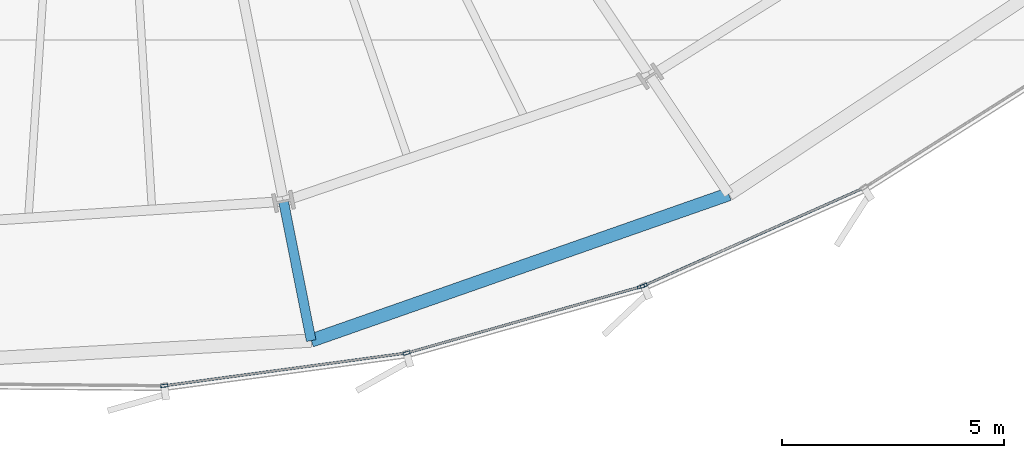
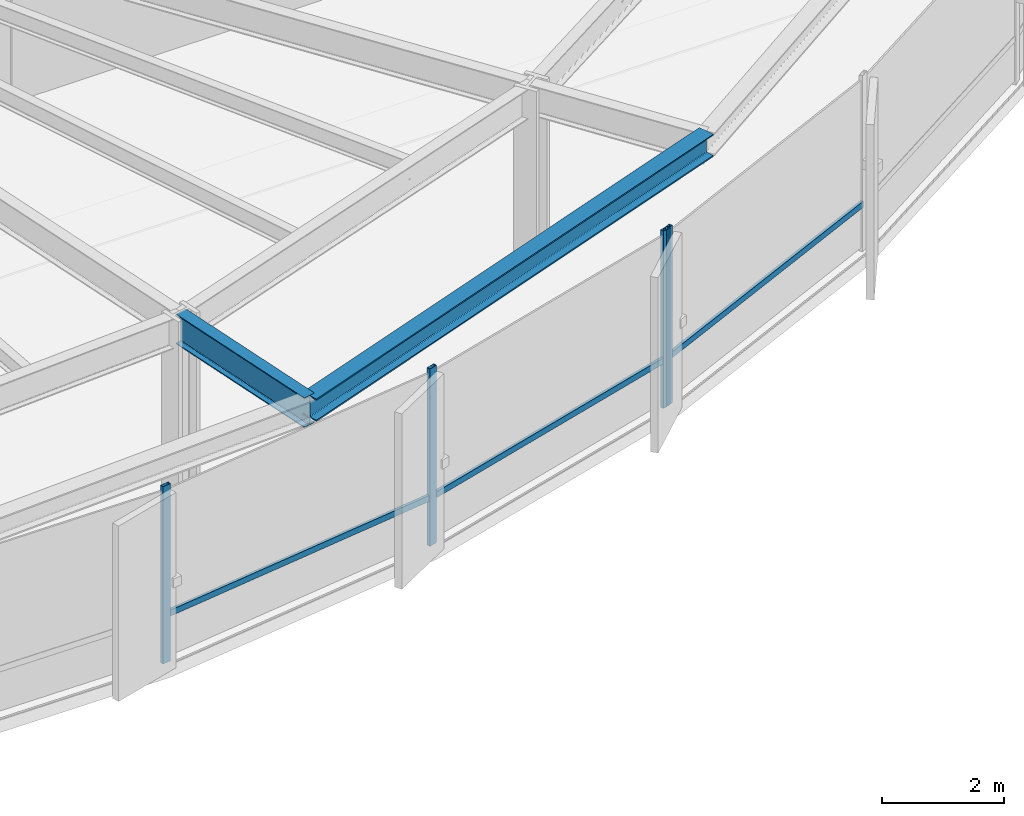
# One storey, part 11 of 39: 7 members, 2 beams, 2 elements without a shape of their own.
"""IFC4 building model written with IfcOpenShell, lengths in metres."""

from ifc_helpers import new_model, si_unit, direction, frame, origin, origin_2d, place, context, subcontext, project, spatial, hollow_rectangle, i_section, extrude, source, transform, mapped, material, layer, layer_set, material_profile, profile_set, type_object, element, aggregate, save


model = new_model("IFC4")

# Units and contexts
model_context = context("Model", 3, precision=1e-05, world=origin(), true_north=direction((0.0, 1.0)))
body_context = subcontext(model_context, "Body", "Model", "MODEL_VIEW")
ifc_project = project(units=[si_unit("LENGTHUNIT", "METRE"), si_unit("AREAUNIT", "SQUARE_METRE"), si_unit("VOLUMEUNIT", "CUBIC_METRE"), si_unit("PLANEANGLEUNIT", "RADIAN"), si_unit("MASSUNIT", "GRAM", prefix="KILO"), si_unit("THERMODYNAMICTEMPERATUREUNIT", "KELVIN")], contexts=[model_context])

# Site, building, storey
site_placement = place(None, origin())
site = spatial("IfcSite", under=ifc_project, at=site_placement, CompositionType="ELEMENT")
building_placement = place(site_placement, origin())
building = spatial("IfcBuilding", under=site, at=building_placement, Name="Kethvar Cultural Tower", CompositionType="ELEMENT")
storey_placement = place(building_placement, frame((0.0, 0.0, 44.800048828125)))
storey = spatial("IfcBuildingStorey", under=building, at=storey_placement, Name="L10", CompositionType="ELEMENT", Elevation=44.800048828125)

# Beams
ifc_material_1 = material(Name="Steel S355J2", Category="steel")
ifc_material_profile_1 = material_profile(ifc_material_1, i_section(OverallWidth=0.219970703125, OverallDepth=0.60009765625, WebThickness=0.011962890625, FlangeThickness=0.01904296875, FilletRadius=0.02392578125, at=origin_2d()), Name="Steel S355J2 — IPE600")
ifc_profile_set_1 = profile_set([ifc_material_profile_1], Name="Steel S355J2 — IPE600")
beam_type_1 = type_object("IfcBeamType", Name="BM-IPE600", PredefinedType="BEAM", material=ifc_profile_set_1)
shared_shape_1 = source(origin(), body_context, "Body", "SweptSolid", [
    extrude(i_section(OverallWidth=0.219970703125, OverallDepth=0.60009765625, WebThickness=0.011962890625, FlangeThickness=0.01904296875, FilletRadius=0.02392578125, at=origin_2d()), origin(), (0.0, 0.0, 1.0), 3.199951171875),
])
beam_1_placement = place(storey_placement, frame((51.10400390625, 6.16259765625, 3.248046875), z_axis=(0.195088965533, -0.980785550224, 0.0), x_axis=(0.980785550224, 0.195088965533, 0.0)))
element("IfcBeam", 1, at=beam_1_placement, inside=storey, type_object=beam_type_1, Name="L10 Perimeter Cantilever Beam RC-13", PredefinedType="BEAM", context=body_context, shape_type="MappedRepresentation", body=[
    mapped(shared_shape_1, transform((0.0, 0.0, 0.0), scale=1.0)),
])
ifc_material_profile_2 = material_profile(ifc_material_1, i_section(OverallWidth=0.300048828125, OverallDepth=0.449951171875, WebThickness=0.013916015625, FlangeThickness=0.02587890625, FilletRadius=0.027099609375, at=origin_2d()), Name="Steel S355J2 — HEB450")
ifc_profile_set_2 = profile_set([ifc_material_profile_2], Name="Steel S355J2 — HEB450")
beam_type_2 = type_object("IfcBeamType", Name="BM-SP450", PredefinedType="SPANDREL", material=ifc_profile_set_2)
shared_shape_2 = source(origin(), body_context, "Body", "SweptSolid", [
    extrude(i_section(OverallWidth=0.300048828125, OverallDepth=0.449951171875, WebThickness=0.013916015625, FlangeThickness=0.02587890625, FilletRadius=0.027099609375, at=origin_2d()), origin(), (0.0, 0.0, 1.0), 9.98193359375),
])
beam_2_placement = place(storey_placement, frame((51.728271484375, 3.024169921875, 3.322998046875), z_axis=(0.943693514159, 0.330821026138, 0.0), x_axis=(-0.330821026138, 0.943693514159, 0.0)))
element("IfcBeam", 2, at=beam_2_placement, inside=storey, type_object=beam_type_2, Name="L10 Perimeter Spandrel Beam SP-13", PredefinedType="SPANDREL", context=body_context, shape_type="MappedRepresentation", body=[
    mapped(shared_shape_2, transform((0.0, 0.0, 0.0), scale=1.0)),
])

# Curtain wall, members
ifc_material_2 = material(Name="Aluminium 6063-T6", Category="aluminium")
ifc_layer = layer(ifc_material_2, 0.179931640625, Name="Aluminium 6063-T6", Category="aluminium")
ifc_layer_set = layer_set([ifc_layer], Name="Aluminium 6063-T6 (180 mm)")
curtain_wall_type = type_object("IfcCurtainWallType", Name="CW-SYS-02-Z1", PredefinedType="NOTDEFINED", material=ifc_layer_set)
curtain_wall_1_placement = place(storey_placement, origin())
curtain_wall_1 = element("IfcCurtainWall", 3, at=curtain_wall_1_placement, inside=storey, type_object=curtain_wall_type, Name="L10 Curtain Wall Run 05", PredefinedType="NOTDEFINED")
ifc_material_profile_3 = material_profile(ifc_material_2, hollow_rectangle(XDim=0.06494140625, YDim=0.159912109375, WallThickness=0.0048828125, at=origin_2d()), Name="Aluminium 6063-T6 — RHS160x65x5")
ifc_profile_set_3 = profile_set([ifc_material_profile_3], Name="Aluminium 6063-T6 — RHS160x65x5")
member_type_1 = type_object("IfcMemberType", Name="CW-SYS-02-Z1-MUL", PredefinedType="MULLION", material=ifc_profile_set_3)
shared_shape_3 = source(origin(), body_context, "Body", "SweptSolid", [
    extrude(hollow_rectangle(XDim=0.06494140625, YDim=0.159912109375, WallThickness=0.0048828125, at=origin_2d()), origin(), (0.0, 0.0, 1.0), 3.550048828125),
])
member_1_placement = place(storey_placement, frame((48.414306640625, 2.005126953125, 0.0), z_axis=(0.0, 0.0, 1.0), x_axis=(-0.133813224182, 0.991006569622, 0.0)))
member_1 = element("IfcMember", 4, at=member_1_placement, type_object=member_type_1, Name="CW-L10-R05 Mullion 5", PredefinedType="MULLION", context=body_context, shape_type="MappedRepresentation", body=[
    mapped(shared_shape_3, transform((0.0, 0.0, 0.0), scale=1.0)),
])
member_2_placement = place(storey_placement, frame((53.879638671875, 2.741943359375, 0.0), z_axis=(0.0, 0.0, 1.0), x_axis=(-0.272532145788, 0.962146677753, 0.0)))
member_2 = element("IfcMember", 5, at=member_2_placement, type_object=member_type_1, Name="CW-L10-R05 Mullion 6", PredefinedType="MULLION", context=body_context, shape_type="MappedRepresentation", body=[
    mapped(shared_shape_3, transform((0.0, 0.0, 0.0), scale=1.0)),
])
member_3_placement = place(storey_placement, frame((59.165771484375, 4.2392578125, 0.0), z_axis=(0.0, 0.0, 1.0), x_axis=(-0.272532145788, 0.962146677753, 0.0)))
member_3 = element("IfcMember", 6, at=member_3_placement, type_object=member_type_1, Name="CW-L10-R05 Mullion 7", PredefinedType="MULLION", context=body_context, shape_type="MappedRepresentation", body=[
    mapped(shared_shape_3, transform((0.0, 0.0, 0.0), scale=1.0)),
])

# Curtain wall, member
curtain_wall_2_placement = place(storey_placement, origin())
curtain_wall_2 = element("IfcCurtainWall", 7, at=curtain_wall_2_placement, inside=storey, type_object=curtain_wall_type, Name="L10 Curtain Wall Run 06", PredefinedType="NOTDEFINED")
member_4_placement = place(storey_placement, frame((59.22900390625, 4.26220703125, 0.0), z_axis=(0.0, 0.0, 1.0), x_axis=(-0.406034970662, 0.913857539554, 0.0)))
member_4 = element("IfcMember", 8, at=member_4_placement, type_object=member_type_1, Name="CW-L10-R06 Mullion 1", PredefinedType="MULLION", context=body_context, shape_type="MappedRepresentation", body=[
    mapped(shared_shape_3, transform((0.0, 0.0, 0.0), scale=1.0)),
])

# Member
ifc_material_profile_4 = material_profile(ifc_material_2, hollow_rectangle(XDim=0.054931640625, YDim=0.1201171875, WallThickness=0.00390625, at=origin_2d()), Name="Aluminium 6063-T6 — RHS120x55x4")
ifc_profile_set_4 = profile_set([ifc_material_profile_4], Name="Aluminium 6063-T6 — RHS120x55x4")
member_type_2 = type_object("IfcMemberType", Name="CW-SYS-02-Z1-TRN", PredefinedType="USERDEFINED", material=ifc_profile_set_4)
shared_shape_4 = source(origin(), body_context, "Body", "SweptSolid", [
    extrude(hollow_rectangle(XDim=0.054931640625, YDim=0.1201171875, WallThickness=0.00390625, at=origin_2d()), origin(), (0.0, 0.0, 1.0), 5.43798828125),
])
member_5_placement = place(storey_placement, frame((48.460693359375, 2.011474609375, 0.949951171875), z_axis=(0.991004181644, 0.133830908104, 0.0), x_axis=(-0.133830908104, 0.991004181644, 0.0)))
member_5 = element("IfcMember", 9, at=member_5_placement, type_object=member_type_2, Name="CW-L10-R05 Transom 5", ObjectType="TRANSOM", PredefinedType="USERDEFINED", context=body_context, shape_type="MappedRepresentation", body=[
    mapped(shared_shape_4, transform((0.0, 0.0, 0.0), scale=1.0)),
])

shared_shape_5 = source(origin(), body_context, "Body", "SweptSolid", [
    extrude(hollow_rectangle(XDim=0.054931640625, YDim=0.1201171875, WallThickness=0.00390625, at=origin_2d()), origin(), (0.0, 0.0, 1.0), 5.44287109375),
])
member_6_placement = place(storey_placement, frame((53.924560546875, 2.754638671875, 0.949951171875), z_axis=(0.962144371119, 0.272540288994, 0.0), x_axis=(-0.272540288994, 0.962144371119, 0.0)))
member_6 = element("IfcMember", 10, at=member_6_placement, type_object=member_type_2, Name="CW-L10-R05 Transom 6", ObjectType="TRANSOM", PredefinedType="USERDEFINED", context=body_context, shape_type="MappedRepresentation", body=[
    mapped(shared_shape_5, transform((0.0, 0.0, 0.0), scale=1.0)),
])

aggregate(curtain_wall_1, [member_1, member_2, member_3, member_5, member_6])

shared_shape_6 = source(origin(), body_context, "Body", "SweptSolid", [
    extrude(hollow_rectangle(XDim=0.054931640625, YDim=0.1201171875, WallThickness=0.00390625, at=origin_2d()), origin(), (0.0, 0.0, 1.0), 5.4052734375),
])
member_7_placement = place(storey_placement, frame((59.233154296875, 4.263916015625, 0.949951171875), z_axis=(0.913852519706, 0.406046268579, 0.0), x_axis=(-0.406046268579, 0.913852519706, 0.0)))
member_7 = element("IfcMember", 11, at=member_7_placement, type_object=member_type_2, Name="CW-L10-R06 Transom 1", ObjectType="TRANSOM", PredefinedType="USERDEFINED", context=body_context, shape_type="MappedRepresentation", body=[
    mapped(shared_shape_6, transform((0.0, 0.0, 0.0), scale=1.0)),
])

aggregate(curtain_wall_2, [member_4, member_7])

save(model, "model.ifc")
